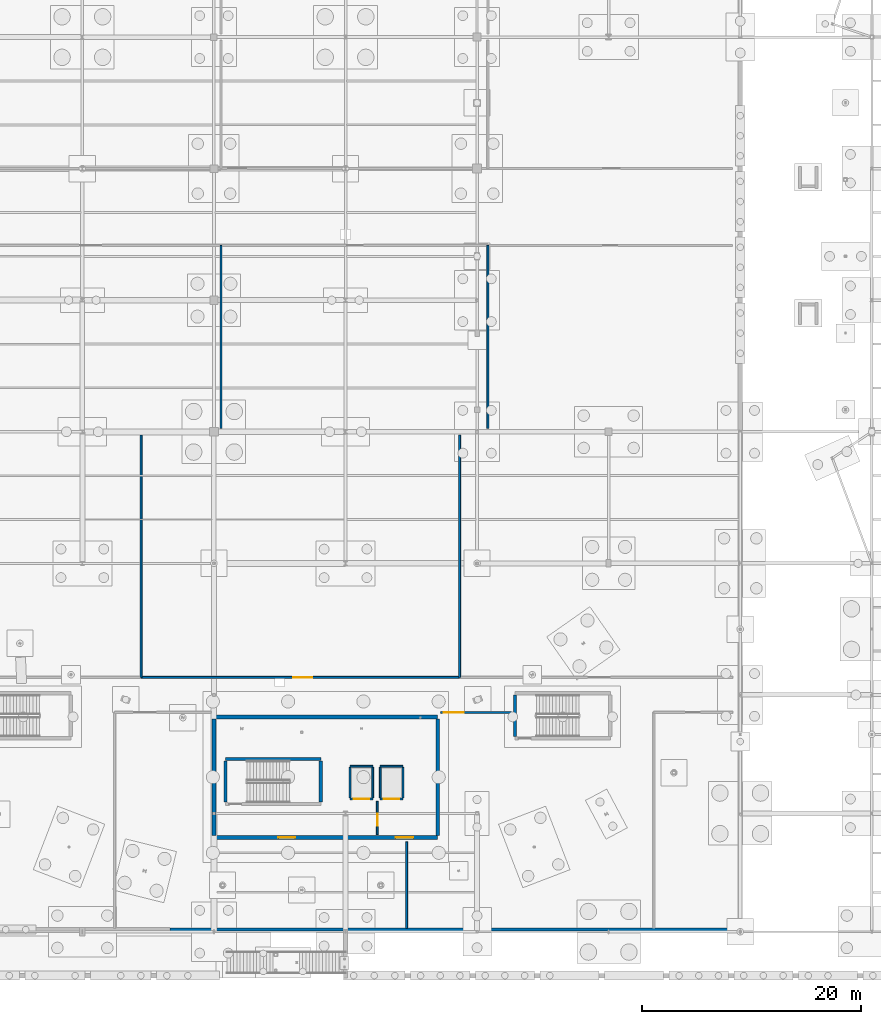
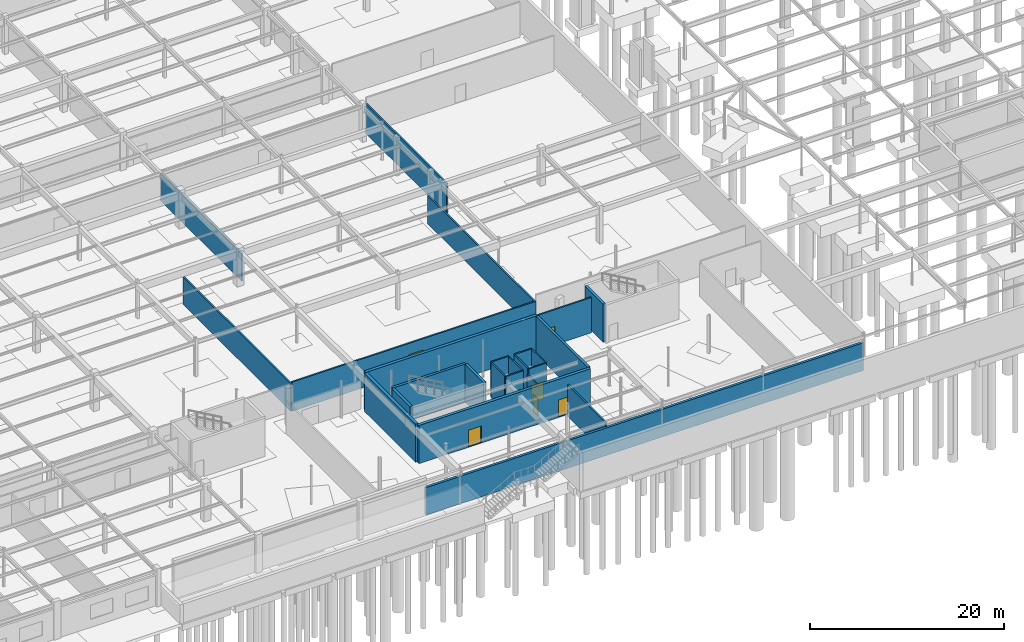
# One storey, part 120 of 136: 25 walls, 7 doors, 7 openings.
"""IFC4 building model written with IfcOpenShell, lengths in metres."""

from ifc_helpers import new_model, si_unit, direction, frame, frame_2d, origin, place, context, subcontext, project, spatial, rectangle, extrude, material, layer, layer_set, type_object, element, fill, save


model = new_model("IFC4")

# Units and contexts
model_context = context("Model", 3, precision=1e-05, world=origin(), true_north=direction((0.0, 1.0)))
body_context = subcontext(model_context, "Body", "Model", "MODEL_VIEW")
ifc_project = project(units=[si_unit("LENGTHUNIT", "METRE"), si_unit("AREAUNIT", "SQUARE_METRE"), si_unit("VOLUMEUNIT", "CUBIC_METRE"), si_unit("PLANEANGLEUNIT", "RADIAN"), si_unit("MASSUNIT", "GRAM", prefix="KILO")], contexts=[model_context])

# Site, building, storey
site_placement = place(None, origin())
site = spatial("IfcSite", under=ifc_project, at=site_placement, CompositionType="ELEMENT")
building_placement = place(site_placement, origin())
building = spatial("IfcBuilding", under=site, at=building_placement, Name="Tarnwether General Hospital", CompositionType="ELEMENT")
storey_placement = place(building_placement, frame((0.0, 0.0, -4.800048828125)))
storey = spatial("IfcBuildingStorey", under=building, at=storey_placement, Name="LG", CompositionType="ELEMENT", Elevation=-4.800048828125)

# Wall
ifc_material_1 = material(Name="Precast concrete 40 MPa", Category="concrete")
ifc_layer_1 = layer(ifc_material_1, 0.280029296875)
ifc_layer_set_1 = layer_set([ifc_layer_1], Name="Precast concrete 40 MPa")
wall_type_1 = type_object("IfcWallType", Name="WL-EX280", PredefinedType="STANDARD", material=ifc_layer_set_1)
wall_1_placement = place(storey_placement, frame((132.0, 0.199951171875, 0.0), z_axis=(0.0, 0.0, 1.0), x_axis=(-1.0, 0.0, 0.0)))
element("IfcWall", 1, at=wall_1_placement, inside=storey, type_object=wall_type_1, Name="LG South Basement Perimeter Wall EW-LG-0279", PredefinedType="STANDARD", context=body_context, shape_type="SweptSolid", body=[
    extrude(rectangle(XDim=52.0, YDim=0.280029296875, at=frame_2d((26.0, 0.0))), origin(), (0.0, 0.0, 1.0), 3.465087890625),
])

# Wall, opening, door
ifc_material_2 = material(Name="Gypsum plasterboard")
ifc_layer_2 = layer(ifc_material_2, 0.159912109375)
ifc_layer_set_2 = layer_set([ifc_layer_2], Name="Gypsum plasterboard")
wall_type_2 = type_object("IfcWallType", Name="WL-PT160", PredefinedType="PARTITIONING", material=ifc_layer_set_2)
wall_2_placement = place(storey_placement, frame((96.409912109375, 12.110107421875, 0.0), z_axis=(0.0, 0.0, 1.0), x_axis=(1.0, 0.0, 0.0)))
wall_2 = element("IfcWall", 2, at=wall_2_placement, inside=storey, type_object=wall_type_2, Name="Lift L-02 Shaft Wall LSH-L-02-LG-S", PredefinedType="PARTITIONING", context=body_context, shape_type="SweptSolid", body=[
    extrude(rectangle(XDim=2.080078125, YDim=0.159912109375, at=frame_2d((1.0400390625, 0.0))), origin(), (0.0, 0.0, 1.0), 4.429931640625),
])
opening_1_placement = place(wall_2_placement, frame((0.340087890625, 0.0, 0.0)))
opening_1 = element("IfcOpeningElement", 3, at=opening_1_placement, cuts=wall_2, Name="Opening LD-01", PredefinedType="OPENING", context=body_context, shape_type="SweptSolid", body=[
    extrude(rectangle(XDim=1.39990234375, YDim=2.199951171875, at=frame_2d((0.699951171875, 1.10009765625))), frame((0.0, 0.08984375, 0.0), z_axis=(0.0, -1.0, 0.0), x_axis=(1.0, 0.0, 0.0)), (0.0, 0.0, 1.0), 0.179931640625),
])
ifc_material_3 = material(Name="Anodised aluminium", Category="aluminium")
door_type_1 = type_object("IfcDoorType", Name="DR-LD01", OperationType="NOTDEFINED", PredefinedType="DOOR", material=ifc_material_3)
door_1_placement = place(opening_1_placement, origin())
door_1 = element("IfcDoor", 4, at=door_1_placement, inside=storey, type_object=door_type_1, Name="Lift L-02 Sliding Landing Door LG", OperationType="SLIDING_TO_LEFT", OverallHeight=2.199951171875, OverallWidth=1.39990234375, PredefinedType="DOOR", context=body_context, shape_type="SweptSolid", body=[
    extrude(rectangle(XDim=1.39990234375, YDim=2.199951171875, at=frame_2d((0.699951171875, 1.10009765625))), frame((0.0, 0.02490234375, 0.0), z_axis=(0.0, -1.0, 0.0), x_axis=(1.0, 0.0, 0.0)), (0.0, 0.0, 1.0), 0.050048828125),
])
fill(opening_1, door_1)

# Walls
wall_3_placement = place(storey_placement, frame((98.489990234375, 15.090087890625, 0.0), z_axis=(0.0, 0.0, 1.0), x_axis=(-1.0, 0.0, 0.0)))
element("IfcWall", 5, at=wall_3_placement, inside=storey, type_object=wall_type_2, Name="Lift L-02 Shaft Wall LSH-L-02-LG-N", PredefinedType="PARTITIONING", context=body_context, shape_type="SweptSolid", body=[
    extrude(rectangle(XDim=2.080078125, YDim=0.159912109375, at=frame_2d((1.0400390625, 0.0))), origin(), (0.0, 0.0, 1.0), 4.429931640625),
])
for number, where, z_axis, x_axis, name in (
    (6, (96.409912109375, 14.989990234375, 0.0), (0.0, 0.0, 1.0), (0.0, -1.0, 0.0), "Lift L-02 Shaft Wall LSH-L-02-LG-W"),
    (7, (98.489990234375, 12.2099609375, 0.0), (0.0, 0.0, 1.0), (0.0, 1.0, 0.0), "Lift L-02 Shaft Wall LSH-L-02-LG-E"),
):
    element("IfcWall", number, at=place(storey_placement, frame(where, z_axis=z_axis, x_axis=x_axis)), inside=storey, type_object=wall_type_2, Name=name, PredefinedType="PARTITIONING", context=body_context, shape_type="SweptSolid", body=[
        extrude(rectangle(XDim=2.780029296875, YDim=0.159912109375, at=frame_2d((1.39013671875, 0.0))), origin(), (0.0, 0.0, 1.0), 4.429931640625),
    ])

# Wall, opening, door
wall_4_placement = place(storey_placement, frame((99.159912109375, 12.110107421875, 0.0), z_axis=(0.0, 0.0, 1.0), x_axis=(1.0, 0.0, 0.0)))
wall_4 = element("IfcWall", 8, at=wall_4_placement, inside=storey, type_object=wall_type_2, Name="Lift L-04 Shaft Wall LSH-L-04-LG-S", PredefinedType="PARTITIONING", context=body_context, shape_type="SweptSolid", body=[
    extrude(rectangle(XDim=2.080078125, YDim=0.159912109375, at=frame_2d((1.0400390625, 0.0))), origin(), (0.0, 0.0, 1.0), 4.429931640625),
])
opening_2_placement = place(wall_4_placement, frame((0.340087890625, 0.0, 0.0)))
opening_2 = element("IfcOpeningElement", 9, at=opening_2_placement, cuts=wall_4, Name="Opening LD-01", PredefinedType="OPENING", context=body_context, shape_type="SweptSolid", body=[
    extrude(rectangle(XDim=1.39990234375, YDim=2.199951171875, at=frame_2d((0.699951171875, 1.10009765625))), frame((0.0, 0.08984375, 0.0), z_axis=(0.0, -1.0, 0.0), x_axis=(1.0, 0.0, 0.0)), (0.0, 0.0, 1.0), 0.179931640625),
])
door_2_placement = place(opening_2_placement, origin())
door_2 = element("IfcDoor", 10, at=door_2_placement, inside=storey, type_object=door_type_1, Name="Lift L-04 Sliding Landing Door LG", OperationType="SLIDING_TO_LEFT", OverallHeight=2.199951171875, OverallWidth=1.39990234375, PredefinedType="DOOR", context=body_context, shape_type="SweptSolid", body=[
    extrude(rectangle(XDim=1.39990234375, YDim=2.199951171875, at=frame_2d((0.699951171875, 1.10009765625))), frame((0.0, 0.02490234375, 0.0), z_axis=(0.0, -1.0, 0.0), x_axis=(1.0, 0.0, 0.0)), (0.0, 0.0, 1.0), 0.050048828125),
])
fill(opening_2, door_2)

# Walls
wall_5_placement = place(storey_placement, frame((101.239990234375, 15.090087890625, 0.0), z_axis=(0.0, 0.0, 1.0), x_axis=(-1.0, 0.0, 0.0)))
element("IfcWall", 11, at=wall_5_placement, inside=storey, type_object=wall_type_2, Name="Lift L-04 Shaft Wall LSH-L-04-LG-N", PredefinedType="PARTITIONING", context=body_context, shape_type="SweptSolid", body=[
    extrude(rectangle(XDim=2.080078125, YDim=0.159912109375, at=frame_2d((1.0400390625, 0.0))), origin(), (0.0, 0.0, 1.0), 4.429931640625),
])
for number, where, z_axis, x_axis, name in (
    (12, (99.159912109375, 14.989990234375, 0.0), (0.0, 0.0, 1.0), (0.0, -1.0, 0.0), "Lift L-04 Shaft Wall LSH-L-04-LG-W"),
    (13, (101.239990234375, 12.2099609375, 0.0), (0.0, 0.0, 1.0), (0.0, 1.0, 0.0), "Lift L-04 Shaft Wall LSH-L-04-LG-E"),
):
    element("IfcWall", number, at=place(storey_placement, frame(where, z_axis=z_axis, x_axis=x_axis)), inside=storey, type_object=wall_type_2, Name=name, PredefinedType="PARTITIONING", context=body_context, shape_type="SweptSolid", body=[
        extrude(rectangle(XDim=2.780029296875, YDim=0.159912109375, at=frame_2d((1.39013671875, 0.0))), origin(), (0.0, 0.0, 1.0), 4.429931640625),
    ])

# Wall, opening, door
wall_6_placement = place(storey_placement, frame((98.89990234375, 8.85009765625, 0.0), z_axis=(0.0, 0.0, 1.0), x_axis=(0.0, 1.0, 0.0)))
wall_6 = element("IfcWall", 14, at=wall_6_placement, inside=storey, type_object=wall_type_2, Name="Firefighting Lobby Divider K2 LG", PredefinedType="PARTITIONING", context=body_context, shape_type="SweptSolid", body=[
    extrude(rectangle(XDim=3.0498046875, YDim=0.159912109375, at=frame_2d((1.52490234375, 0.0))), origin(), (0.0, 0.0, 1.0), 3.9609375),
])
opening_3_placement = place(wall_6_placement, frame((0.800048828125, 0.0, 0.0)))
opening_3 = element("IfcOpeningElement", 15, at=opening_3_placement, cuts=wall_6, Name="Opening FD-06", PredefinedType="OPENING", context=body_context, shape_type="SweptSolid", body=[
    extrude(rectangle(XDim=1.10009765625, YDim=2.14990234375, at=frame_2d((0.550048828125, 1.074951171875))), frame((0.0, 0.08984375, 0.0), z_axis=(0.0, -1.0, 0.0), x_axis=(1.0, 0.0, 0.0)), (0.0, 0.0, 1.0), 0.179931640625),
])
ifc_material_4 = material(Name="Anodised aluminium", Category="aluminium")
door_type_2 = type_object("IfcDoorType", Name="DR-FD06", OperationType="NOTDEFINED", PredefinedType="DOOR", material=ifc_material_4)
door_3_placement = place(opening_3_placement, origin())
door_3 = element("IfcDoor", 16, at=door_3_placement, inside=storey, type_object=door_type_2, Name="Core K2 Inter-Lobby Smoke Door LG", OperationType="SINGLE_SWING_RIGHT", OverallHeight=2.14990234375, OverallWidth=1.10009765625, PredefinedType="DOOR", context=body_context, shape_type="SweptSolid", body=[
    extrude(rectangle(XDim=1.10009765625, YDim=2.14990234375, at=frame_2d((0.550048828125, 1.074951171875))), frame((0.0, 0.02490234375, 0.0), z_axis=(0.0, -1.0, 0.0), x_axis=(1.0, 0.0, 0.0)), (0.0, 0.0, 1.0), 0.050048828125),
])
fill(opening_3, door_3)

# Walls
ifc_material_5 = material(Name="Gypsum plasterboard")
ifc_layer_3 = layer(ifc_material_5, 0.179931640625)
ifc_layer_set_3 = layer_set([ifc_layer_3], Name="Gypsum plasterboard")
wall_type_3 = type_object("IfcWallType", Name="WL-PT180", PredefinedType="PARTITIONING", material=ifc_layer_set_3)
wall_7_placement = place(storey_placement, frame((84.64306640625, 45.89990234375, 0.0), z_axis=(0.0, 0.0, 1.0), x_axis=(0.0, 1.0, 0.0)))
element("IfcWall", 17, at=wall_7_placement, inside=storey, type_object=wall_type_3, Name="Interior Partition PT-LG-0022", PredefinedType="PARTITIONING", context=body_context, shape_type="SweptSolid", body=[
    extrude(rectangle(XDim=16.7001953125, YDim=0.179931640625, at=frame_2d((8.35009765625, 0.0))), origin(), (0.0, 0.0, 1.0), 3.51513671875),
])
wall_8_placement = place(storey_placement, frame((108.986083984375, 45.89990234375, 0.0), z_axis=(0.0, 0.0, 1.0), x_axis=(0.0, 1.0, 0.0)))
element("IfcWall", 18, at=wall_8_placement, inside=storey, type_object=wall_type_3, Name="Interior Partition PT-LG-0024", PredefinedType="PARTITIONING", context=body_context, shape_type="SweptSolid", body=[
    extrude(rectangle(XDim=16.7001953125, YDim=0.179931640625, at=frame_2d((8.35009765625, 0.0))), origin(), (0.0, 0.0, 1.0), 3.76513671875),
])
wall_9_placement = place(storey_placement, frame((101.583984375, 0.300048828125, 0.0), z_axis=(0.0, 0.0, 1.0), x_axis=(0.0, 1.0, 0.0)))
element("IfcWall", 19, at=wall_9_placement, inside=storey, type_object=wall_type_3, Name="Interior Partition PT-LG-0034", PredefinedType="PARTITIONING", context=body_context, shape_type="SweptSolid", body=[
    extrude(rectangle(XDim=7.89990234375, YDim=0.179931640625, at=frame_2d((3.949951171875, 0.0))), origin(), (0.0, 0.0, 1.0), 3.9609375),
])

# Wall, opening, door
wall_10_placement = place(storey_placement, frame((104.64990234375, 20.0, 0.0), z_axis=(0.0, 0.0, 1.0), x_axis=(1.0, 0.0, 0.0)))
wall_10 = element("IfcWall", 20, at=wall_10_placement, inside=storey, type_object=wall_type_3, Name="Interior Partition PT-LG-0035", PredefinedType="PARTITIONING", context=body_context, shape_type="SweptSolid", body=[
    extrude(rectangle(XDim=6.5, YDim=0.179931640625, at=frame_2d((3.25, 0.0))), origin(), (0.0, 0.0, 1.0), 4.429931640625),
])
opening_4_placement = place(wall_10_placement, frame((0.320068359375, 0.0, 0.0)))
opening_4 = element("IfcOpeningElement", 21, at=opening_4_placement, cuts=wall_10, Name="Opening SD-01", PredefinedType="OPENING", context=body_context, shape_type="SweptSolid", body=[
    extrude(rectangle(XDim=1.800048828125, YDim=2.320068359375, at=frame_2d((0.89990234375, 1.16015625))), frame((0.0, 0.10009765625, 0.0), z_axis=(0.0, -1.0, 0.0), x_axis=(1.0, 0.0, 0.0)), (0.0, 0.0, 1.0), 0.199951171875),
])
ifc_material_6 = material(Name="Anodised aluminium", Category="aluminium")
door_type_3 = type_object("IfcDoorType", Name="DR-OR01", OperationType="NOTDEFINED", PredefinedType="DOOR", material=ifc_material_6)
door_4_placement = place(opening_4_placement, origin())
door_4 = element("IfcDoor", 22, at=door_4_placement, inside=storey, type_object=door_type_3, Name="Interior Door DR-LG-0020", OperationType="SLIDING_TO_LEFT", OverallHeight=2.320068359375, OverallWidth=1.800048828125, PredefinedType="DOOR", context=body_context, shape_type="SweptSolid", body=[
    extrude(rectangle(XDim=1.800048828125, YDim=2.320068359375, at=frame_2d((0.89990234375, 1.16015625))), frame((0.0, 0.02490234375, 0.0), z_axis=(0.0, -1.0, 0.0), x_axis=(1.0, 0.0, 0.0)), (0.0, 0.0, 1.0), 0.050048828125),
])
fill(opening_4, door_4)

# Wall
wall_11_placement = place(storey_placement, frame((77.35009765625, 23.199951171875, 0.0), z_axis=(0.0, 0.0, 1.0), x_axis=(0.0, 1.0, 0.0)))
element("IfcWall", 23, at=wall_11_placement, inside=storey, type_object=wall_type_3, Name="Interior Partition PT-LG-0039", PredefinedType="PARTITIONING", context=body_context, shape_type="SweptSolid", body=[
    extrude(rectangle(XDim=22.10009765625, YDim=0.179931640625, at=frame_2d((11.050048828125, 0.0))), origin(), (0.0, 0.0, 1.0), 3.465087890625),
])

# Wall, opening, door
wall_12_placement = place(storey_placement, frame((77.35009765625, 23.199951171875, 0.0), z_axis=(0.0, 0.0, 1.0), x_axis=(1.0, 0.0, 0.0)))
wall_12 = element("IfcWall", 24, at=wall_12_placement, inside=storey, type_object=wall_type_3, Name="Interior Partition PT-LG-0040", PredefinedType="PARTITIONING", context=body_context, shape_type="SweptSolid", body=[
    extrude(rectangle(XDim=29.0498046875, YDim=0.179931640625, at=frame_2d((14.52490234375, 0.0))), origin(), (0.0, 0.0, 1.0), 3.6650390625),
])
opening_5_placement = place(wall_12_placement, frame((13.875, 0.0, 0.0)))
opening_5 = element("IfcOpeningElement", 25, at=opening_5_placement, cuts=wall_12, Name="Opening FD-07", PredefinedType="OPENING", context=body_context, shape_type="SweptSolid", body=[
    extrude(rectangle(XDim=1.75, YDim=2.25, at=frame_2d((0.875, 1.125))), frame((0.0, 0.10009765625, 0.0), z_axis=(0.0, -1.0, 0.0), x_axis=(1.0, 0.0, 0.0)), (0.0, 0.0, 1.0), 0.199951171875),
])
ifc_material_7 = material(Name="Anodised aluminium", Category="aluminium")
door_type_4 = type_object("IfcDoorType", Name="DR-FD07", OperationType="NOTDEFINED", PredefinedType="DOOR", material=ifc_material_7)
door_5_placement = place(opening_5_placement, origin())
door_5 = element("IfcDoor", 26, at=door_5_placement, inside=storey, type_object=door_type_4, Name="Interior Door DR-LG-0023", OperationType="DOUBLE_DOOR_SINGLE_SWING", OverallHeight=2.25, OverallWidth=1.75, PredefinedType="DOOR", context=body_context, shape_type="SweptSolid", body=[
    extrude(rectangle(XDim=1.75, YDim=2.25, at=frame_2d((0.875, 1.125))), frame((0.0, 0.02490234375, 0.0), z_axis=(0.0, -1.0, 0.0), x_axis=(1.0, 0.0, 0.0)), (0.0, 0.0, 1.0), 0.050048828125),
])
fill(opening_5, door_5)

# Walls
wall_13_placement = place(storey_placement, frame((106.39990234375, 23.199951171875, 0.0), z_axis=(0.0, 0.0, 1.0), x_axis=(0.0, 1.0, 0.0)))
element("IfcWall", 27, at=wall_13_placement, inside=storey, type_object=wall_type_3, Name="Interior Partition PT-LG-0041", PredefinedType="PARTITIONING", context=body_context, shape_type="SweptSolid", body=[
    extrude(rectangle(XDim=22.10009765625, YDim=0.179931640625, at=frame_2d((11.050048828125, 0.0))), origin(), (0.0, 0.0, 1.0), 3.51513671875),
])
ifc_material_8 = material(Name="Concrete 50 MPa", Category="concrete")
ifc_layer_4 = layer(ifc_material_8, 0.300048828125)
ifc_layer_set_4 = layer_set([ifc_layer_4], Name="Concrete 50 MPa")
wall_type_4 = type_object("IfcWallType", Name="WL-SW300", PredefinedType="SHEAR", material=ifc_layer_set_4)
wall_14_placement = place(storey_placement, frame((104.39990234375, 19.39990234375, 0.0), z_axis=(0.0, 0.0, 1.0), x_axis=(0.0, -1.0, 0.0)))
element("IfcWall", 28, at=wall_14_placement, inside=storey, type_object=wall_type_4, Name="Core Shear Wall CWALL-K2-LG-E", PredefinedType="SHEAR", context=body_context, shape_type="SweptSolid", body=[
    extrude(rectangle(XDim=10.599853515625, YDim=0.300048828125, at=frame_2d((5.2998046875, 0.0))), origin(), (0.0, 0.0, 1.0), 4.800048828125),
])
wall_15_placement = place(storey_placement, frame((93.75, 15.75, 0.0), z_axis=(0.0, 0.0, 1.0), x_axis=(-1.0, 0.0, 0.0)))
element("IfcWall", 29, at=wall_15_placement, inside=storey, type_object=wall_type_4, Name="Stairwell Shear Wall STW-ST-02-LG-N", PredefinedType="SHEAR", context=body_context, shape_type="SweptSolid", body=[
    extrude(rectangle(XDim=8.699951171875, YDim=0.300048828125, at=frame_2d((4.35009765625, 0.0))), origin(), (0.0, 0.0, 1.0), 4.800048828125),
])
for number, where, z_axis, x_axis, name in (
    (30, (85.050048828125, 11.820068359375, 0.0), (0.0, 0.0, 1.0), (0.0, 1.0, 0.0), "Stairwell Shear Wall STW-ST-02-LG-L"),
    (31, (93.75, 11.820068359375, 0.0), (0.0, 0.0, 1.0), (0.0, 1.0, 0.0), "Stairwell Shear Wall STW-ST-02-LG-F"),
    (32, (111.449951171875, 17.820068359375, 0.0), (0.0, 0.0, 1.0), (0.0, 1.0, 0.0), "Stairwell Shear Wall STW-ST-10-LG-L"),
):
    element("IfcWall", number, at=place(storey_placement, frame(where, z_axis=z_axis, x_axis=x_axis)), inside=storey, type_object=wall_type_4, Name=name, PredefinedType="SHEAR", context=body_context, shape_type="SweptSolid", body=[
        extrude(rectangle(XDim=3.760009765625, YDim=0.300048828125, at=frame_2d((1.8798828125, 0.0))), origin(), (0.0, 0.0, 1.0), 4.800048828125),
    ])
ifc_material_9 = material(Name="Concrete 50 MPa", Category="concrete")
ifc_layer_5 = layer(ifc_material_9, 0.35009765625)
ifc_layer_set_5 = layer_set([ifc_layer_5], Name="Concrete 50 MPa")
wall_type_5 = type_object("IfcWallType", Name="WL-SW350", PredefinedType="SHEAR", material=ifc_layer_set_5)
wall_16_placement = place(storey_placement, frame((84.0, 19.60009765625, 0.0), z_axis=(0.0, 0.0, 1.0), x_axis=(1.0, 0.0, 0.0)))
element("IfcWall", 33, at=wall_16_placement, inside=storey, type_object=wall_type_5, Name="Core Shear Wall CWALL-K2-LG-N", PredefinedType="SHEAR", context=body_context, shape_type="SweptSolid", body=[
    extrude(rectangle(XDim=20.39990234375, YDim=0.35009765625, at=frame_2d((10.199951171875, 0.0))), origin(), (0.0, 0.0, 1.0), 4.800048828125),
])

# Wall, openings, doors
wall_17_placement = place(storey_placement, frame((104.39990234375, 8.60009765625, 0.0), z_axis=(0.0, 0.0, 1.0), x_axis=(-1.0, 0.0, 0.0)))
wall_17 = element("IfcWall", 34, at=wall_17_placement, inside=storey, type_object=wall_type_5, Name="Core Shear Wall CWALL-K2-LG-S", PredefinedType="SHEAR", context=body_context, shape_type="SweptSolid", body=[
    extrude(rectangle(XDim=20.39990234375, YDim=0.35009765625, at=frame_2d((10.199951171875, 0.0))), origin(), (0.0, 0.0, 1.0), 4.800048828125),
])
opening_6_placement = place(wall_17_placement, frame((2.199951171875, 0.0, 0.0)))
opening_6 = element("IfcOpeningElement", 35, at=opening_6_placement, cuts=wall_17, Name="Opening FD-01", PredefinedType="OPENING", context=body_context, shape_type="SweptSolid", body=[
    extrude(rectangle(XDim=1.639892578125, YDim=2.199951171875, at=frame_2d((0.81982421875, 1.10009765625))), frame((0.0, 0.18505859375, 0.0), z_axis=(0.0, -1.0, 0.0), x_axis=(1.0, 0.0, 0.0)), (0.0, 0.0, 1.0), 0.3701171875),
])
opening_7_placement = place(wall_17_placement, frame((13.0, 0.0, 0.0)))
opening_7 = element("IfcOpeningElement", 36, at=opening_7_placement, cuts=wall_17, Name="Opening FD-02", PredefinedType="OPENING", context=body_context, shape_type="SweptSolid", body=[
    extrude(rectangle(XDim=1.52001953125, YDim=2.159912109375, at=frame_2d((0.760009765625, 1.080078125))), frame((0.0, 0.18505859375, 0.0), z_axis=(0.0, -1.0, 0.0), x_axis=(1.0, 0.0, 0.0)), (0.0, 0.0, 1.0), 0.3701171875),
])
ifc_material_10 = material(Name="Anodised aluminium", Category="aluminium")
door_type_5 = type_object("IfcDoorType", Name="DR-FD01", OperationType="NOTDEFINED", PredefinedType="DOOR", material=ifc_material_10)
door_6_placement = place(opening_6_placement, origin())
door_6 = element("IfcDoor", 37, at=door_6_placement, inside=storey, type_object=door_type_5, Name="Core K2 Lobby Fire Door LG", OperationType="DOUBLE_DOOR_SINGLE_SWING", OverallHeight=2.199951171875, OverallWidth=1.639892578125, PredefinedType="DOOR", context=body_context, shape_type="SweptSolid", body=[
    extrude(rectangle(XDim=1.639892578125, YDim=2.199951171875, at=frame_2d((0.81982421875, 1.10009765625))), frame((0.0, 0.02490234375, 0.0), z_axis=(0.0, -1.0, 0.0), x_axis=(1.0, 0.0, 0.0)), (0.0, 0.0, 1.0), 0.050048828125),
])
fill(opening_6, door_6)
ifc_material_11 = material(Name="Anodised aluminium", Category="aluminium")
door_type_6 = type_object("IfcDoorType", Name="DR-FD02", OperationType="NOTDEFINED", PredefinedType="DOOR", material=ifc_material_11)
door_7_placement = place(opening_7_placement, origin())
door_7 = element("IfcDoor", 38, at=door_7_placement, inside=storey, type_object=door_type_6, Name="Core K2 Firefighting Lobby Door LG", OperationType="SINGLE_SWING_LEFT", OverallHeight=2.159912109375, OverallWidth=1.52001953125, PredefinedType="DOOR", context=body_context, shape_type="SweptSolid", body=[
    extrude(rectangle(XDim=1.52001953125, YDim=2.159912109375, at=frame_2d((0.760009765625, 1.080078125))), frame((0.0, 0.02490234375, 0.0), z_axis=(0.0, -1.0, 0.0), x_axis=(1.0, 0.0, 0.0)), (0.0, 0.0, 1.0), 0.050048828125),
])
fill(opening_7, door_7)

# Wall
wall_18_placement = place(storey_placement, frame((84.0, 8.800048828125, 0.0), z_axis=(0.0, 0.0, 1.0), x_axis=(0.0, 1.0, 0.0)))
element("IfcWall", 39, at=wall_18_placement, inside=storey, type_object=wall_type_5, Name="Core Shear Wall CWALL-K2-LG-W", PredefinedType="SHEAR", context=body_context, shape_type="SweptSolid", body=[
    extrude(rectangle(XDim=10.599853515625, YDim=0.35009765625, at=frame_2d((5.2998046875, 0.0))), origin(), (0.0, 0.0, 1.0), 4.800048828125),
])

save(model, "model.ifc")
